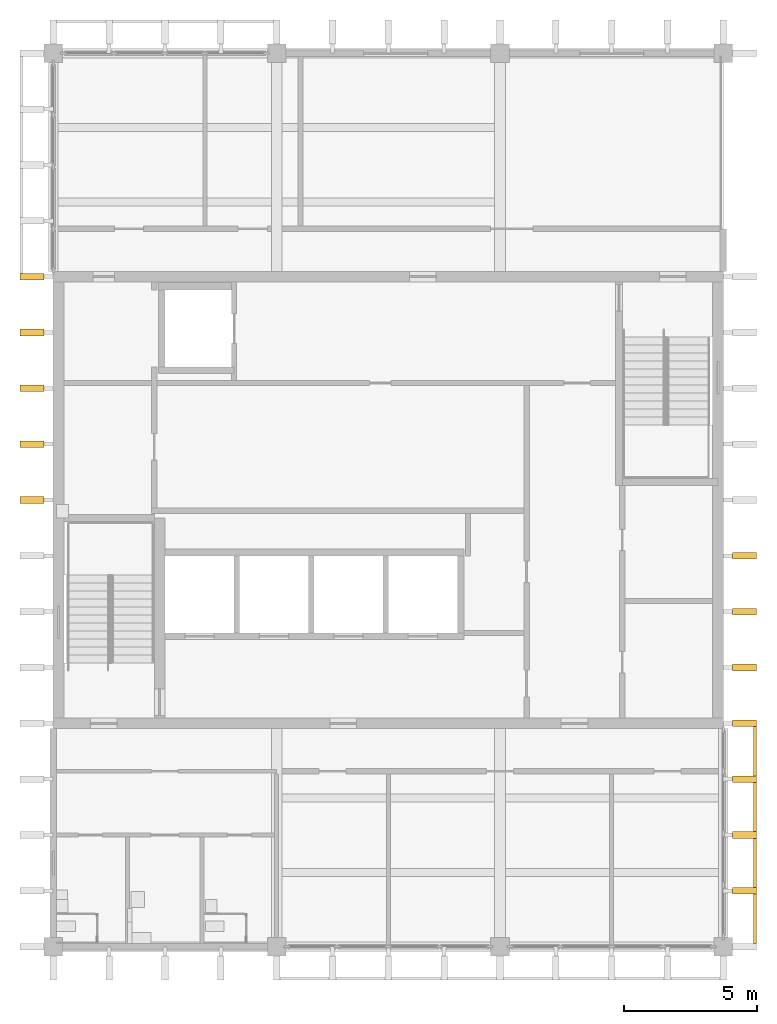
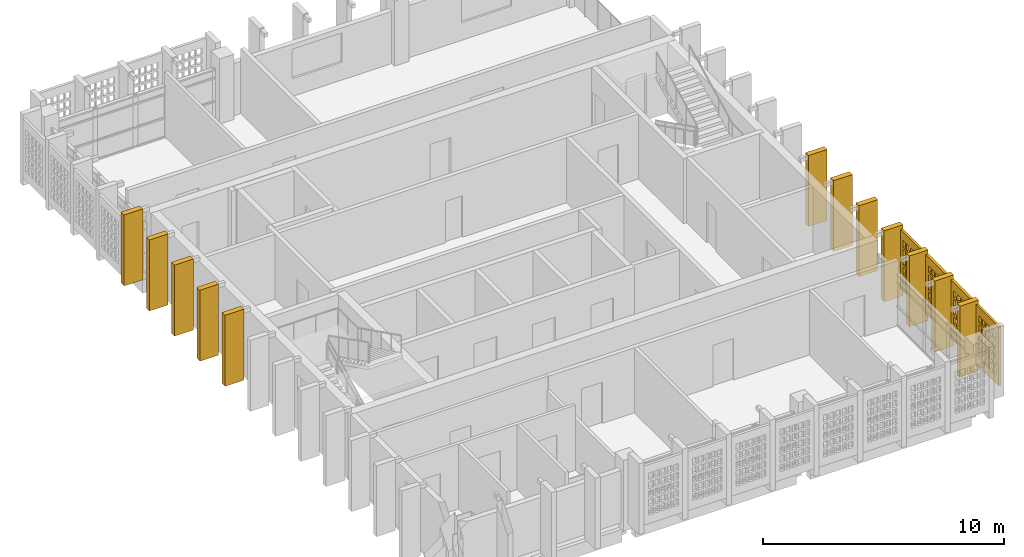
# One storey, part 9 of 13: 16 shading devices, 4 openings.
"""IFC4 building model written with IfcOpenShell, lengths in metres."""

from ifc_helpers import new_model, si_unit, direction, frame, origin, origin_2d, place, context, subcontext, project, spatial, rectangle, extrude, material, layer, layer_set, material_profile, profile_set, type_object, element, save


model = new_model("IFC4")

# Units and contexts
model_context = context("Model", 3, precision=1e-05, world=origin(), true_north=direction((0.0, 1.0)))
body_context = subcontext(model_context, "Body", "Model", "MODEL_VIEW")
ifc_project = project(units=[si_unit("LENGTHUNIT", "METRE"), si_unit("AREAUNIT", "SQUARE_METRE"), si_unit("VOLUMEUNIT", "CUBIC_METRE"), si_unit("PLANEANGLEUNIT", "RADIAN"), si_unit("MASSUNIT", "GRAM", prefix="KILO")], contexts=[model_context])

# Site, building, storey
site_placement = place(None, origin())
site = spatial("IfcSite", under=ifc_project, at=site_placement, CompositionType="ELEMENT")
building_placement = place(site_placement, origin())
building = spatial("IfcBuilding", under=site, at=building_placement, Name="Rulbaag Community and Learning Centre", CompositionType="ELEMENT")
storey_placement = place(building_placement, frame((0.0, 0.0, 54.0)))
storey = spatial("IfcBuildingStorey", under=building, at=storey_placement, Name="L14", CompositionType="ELEMENT", Elevation=54.0)

# Shading devices
ifc_material = material(Name="Concrete M40", Category="concrete")
ifc_material_profile = material_profile(ifc_material, rectangle(XDim=0.25, YDim=0.89990234375, at=origin_2d()), Name="PC 250x900")
ifc_profile_set = profile_set([ifc_material_profile], Name="Concrete M40")
shading_device_type_1 = type_object("IfcShadingDeviceType", Name="FIN-H", PredefinedType="JALOUSIE", material=ifc_profile_set)
for number, where, z_axis, x_axis, name in (
    (1, (142.0, 100.800048828125, 0.0), (0.0, 0.0, 1.0), (0.0, 1.0, 0.0), "Precast fin"),
    (2, (142.0, 102.89990234375, 0.0), (0.0, 0.0, 1.0), (0.0, 1.0, 0.0), "Precast fin"),
    (3, (142.0, 105.0, 0.0), (0.0, 0.0, 1.0), (0.0, 1.0, 0.0), "Precast fin"),
    (4, (142.0, 107.10009765625, 0.0), (0.0, 0.0, 1.0), (0.0, 1.0, 0.0), "Precast fin"),
    (5, (142.0, 109.199951171875, 0.0), (0.0, 0.0, 1.0), (0.0, 1.0, 0.0), "Precast fin"),
    (6, (168.800048828125, 86.10009765625, 0.0), (0.0, 0.0, 1.0), (0.0, 1.0, 0.0), "Precast fin"),
    (7, (168.800048828125, 88.199951171875, 0.0), (0.0, 0.0, 1.0), (0.0, 1.0, 0.0), "Precast fin"),
    (8, (168.800048828125, 90.300048828125, 0.0), (0.0, 0.0, 1.0), (0.0, 1.0, 0.0), "Precast fin"),
    (9, (168.800048828125, 92.39990234375, 0.0), (0.0, 0.0, 1.0), (0.0, 1.0, 0.0), "Precast fin"),
    (10, (168.800048828125, 94.5, 0.0), (0.0, 0.0, 1.0), (0.0, 1.0, 0.0), "Precast fin"),
    (11, (168.800048828125, 96.60009765625, 0.0), (0.0, 0.0, 1.0), (0.0, 1.0, 0.0), "Precast fin"),
    (12, (168.800048828125, 98.699951171875, 0.0), (0.0, 0.0, 1.0), (0.0, 1.0, 0.0), "Precast fin"),
):
    element("IfcShadingDevice", number, at=place(storey_placement, frame(where, z_axis=z_axis, x_axis=x_axis)), inside=storey, type_object=shading_device_type_1, Name=name, PredefinedType="JALOUSIE", context=body_context, shape_type="SweptSolid", body=[
        extrude(rectangle(XDim=0.25, YDim=0.89990234375, at=origin_2d()), origin(), (0.0, 0.0, 1.0), 3.60009765625),
    ])

# Shading device, opening
ifc_layer = layer(ifc_material, 0.1201171875)
ifc_layer_set = layer_set([ifc_layer], Name="JB-83")
shading_device_type_2 = type_object("IfcShadingDeviceType", Name="JB-83", PredefinedType="SHUTTER", material=ifc_layer_set)
shading_device_1_placement = place(storey_placement, frame((169.18994140625, 85.050048828125, 0.39990234375), z_axis=(0.0, 0.0, 1.0), x_axis=(1.0, 0.0, 0.0)))
shading_device_1 = element("IfcShadingDevice", 13, at=shading_device_1_placement, inside=storey, type_object=shading_device_type_2, Name="Jaali screen", PredefinedType="SHUTTER", context=body_context, shape_type="SweptSolid", body=[
    extrude(rectangle(XDim=0.1201171875, YDim=1.85009765625, at=origin_2d()), origin(), (0.0, 0.0, 1.0), 3.0),
])
opening_1_placement = place(shading_device_1_placement, origin())
element("IfcOpeningElement", 14, at=opening_1_placement, cuts=shading_device_1, Name="Perforation JB1", PredefinedType="OPENING", context=body_context, shape_type="SweptSolid", body=[
    extrude(rectangle(XDim=0.22509765625, YDim=0.340087890625, at=origin_2d()), frame((-0.070068359375, -0.60009765625, 0.60009765625), z_axis=(1.0, 0.0, 0.0), x_axis=(0.0, 1.0, 0.0)), (0.0, 0.0, 1.0), 0.139892578125),
    extrude(rectangle(XDim=0.22509765625, YDim=0.340087890625, at=origin_2d()), frame((-0.070068359375, -0.300048828125, 0.60009765625), z_axis=(1.0, 0.0, 0.0), x_axis=(0.0, 1.0, 0.0)), (0.0, 0.0, 1.0), 0.139892578125),
    extrude(rectangle(XDim=0.22509765625, YDim=0.340087890625, at=origin_2d()), frame((-0.070068359375, 0.0, 0.60009765625), z_axis=(1.0, 0.0, 0.0), x_axis=(0.0, 1.0, 0.0)), (0.0, 0.0, 1.0), 0.139892578125),
    extrude(rectangle(XDim=0.22509765625, YDim=0.340087890625, at=origin_2d()), frame((-0.070068359375, 0.300048828125, 0.60009765625), z_axis=(1.0, 0.0, 0.0), x_axis=(0.0, 1.0, 0.0)), (0.0, 0.0, 1.0), 0.139892578125),
    extrude(rectangle(XDim=0.22509765625, YDim=0.340087890625, at=origin_2d()), frame((-0.070068359375, 0.60009765625, 0.60009765625), z_axis=(1.0, 0.0, 0.0), x_axis=(0.0, 1.0, 0.0)), (0.0, 0.0, 1.0), 0.139892578125),
    extrude(rectangle(XDim=0.22509765625, YDim=0.340087890625, at=origin_2d()), frame((-0.070068359375, -0.60009765625, 1.050048828125), z_axis=(1.0, 0.0, 0.0), x_axis=(0.0, 1.0, 0.0)), (0.0, 0.0, 1.0), 0.139892578125),
    extrude(rectangle(XDim=0.22509765625, YDim=0.340087890625, at=origin_2d()), frame((-0.070068359375, -0.300048828125, 1.050048828125), z_axis=(1.0, 0.0, 0.0), x_axis=(0.0, 1.0, 0.0)), (0.0, 0.0, 1.0), 0.139892578125),
    extrude(rectangle(XDim=0.22509765625, YDim=0.340087890625, at=origin_2d()), frame((-0.070068359375, 0.0, 1.050048828125), z_axis=(1.0, 0.0, 0.0), x_axis=(0.0, 1.0, 0.0)), (0.0, 0.0, 1.0), 0.139892578125),
    extrude(rectangle(XDim=0.22509765625, YDim=0.340087890625, at=origin_2d()), frame((-0.070068359375, 0.300048828125, 1.050048828125), z_axis=(1.0, 0.0, 0.0), x_axis=(0.0, 1.0, 0.0)), (0.0, 0.0, 1.0), 0.139892578125),
    extrude(rectangle(XDim=0.22509765625, YDim=0.340087890625, at=origin_2d()), frame((-0.070068359375, 0.60009765625, 1.050048828125), z_axis=(1.0, 0.0, 0.0), x_axis=(0.0, 1.0, 0.0)), (0.0, 0.0, 1.0), 0.139892578125),
    extrude(rectangle(XDim=0.22509765625, YDim=0.340087890625, at=origin_2d()), frame((-0.070068359375, -0.60009765625, 1.5), z_axis=(1.0, 0.0, 0.0), x_axis=(0.0, 1.0, 0.0)), (0.0, 0.0, 1.0), 0.139892578125),
    extrude(rectangle(XDim=0.22509765625, YDim=0.340087890625, at=origin_2d()), frame((-0.070068359375, -0.300048828125, 1.5), z_axis=(1.0, 0.0, 0.0), x_axis=(0.0, 1.0, 0.0)), (0.0, 0.0, 1.0), 0.139892578125),
    extrude(rectangle(XDim=0.22509765625, YDim=0.340087890625, at=origin_2d()), frame((-0.070068359375, 0.0, 1.5), z_axis=(1.0, 0.0, 0.0), x_axis=(0.0, 1.0, 0.0)), (0.0, 0.0, 1.0), 0.139892578125),
    extrude(rectangle(XDim=0.22509765625, YDim=0.340087890625, at=origin_2d()), frame((-0.070068359375, 0.300048828125, 1.5), z_axis=(1.0, 0.0, 0.0), x_axis=(0.0, 1.0, 0.0)), (0.0, 0.0, 1.0), 0.139892578125),
    extrude(rectangle(XDim=0.22509765625, YDim=0.340087890625, at=origin_2d()), frame((-0.070068359375, 0.60009765625, 1.5), z_axis=(1.0, 0.0, 0.0), x_axis=(0.0, 1.0, 0.0)), (0.0, 0.0, 1.0), 0.139892578125),
    extrude(rectangle(XDim=0.22509765625, YDim=0.340087890625, at=origin_2d()), frame((-0.070068359375, -0.60009765625, 1.949951171875), z_axis=(1.0, 0.0, 0.0), x_axis=(0.0, 1.0, 0.0)), (0.0, 0.0, 1.0), 0.139892578125),
    extrude(rectangle(XDim=0.22509765625, YDim=0.340087890625, at=origin_2d()), frame((-0.070068359375, -0.300048828125, 1.949951171875), z_axis=(1.0, 0.0, 0.0), x_axis=(0.0, 1.0, 0.0)), (0.0, 0.0, 1.0), 0.139892578125),
    extrude(rectangle(XDim=0.22509765625, YDim=0.340087890625, at=origin_2d()), frame((-0.070068359375, 0.0, 1.949951171875), z_axis=(1.0, 0.0, 0.0), x_axis=(0.0, 1.0, 0.0)), (0.0, 0.0, 1.0), 0.139892578125),
    extrude(rectangle(XDim=0.22509765625, YDim=0.340087890625, at=origin_2d()), frame((-0.070068359375, 0.300048828125, 1.949951171875), z_axis=(1.0, 0.0, 0.0), x_axis=(0.0, 1.0, 0.0)), (0.0, 0.0, 1.0), 0.139892578125),
    extrude(rectangle(XDim=0.22509765625, YDim=0.340087890625, at=origin_2d()), frame((-0.070068359375, 0.60009765625, 1.949951171875), z_axis=(1.0, 0.0, 0.0), x_axis=(0.0, 1.0, 0.0)), (0.0, 0.0, 1.0), 0.139892578125),
    extrude(rectangle(XDim=0.22509765625, YDim=0.340087890625, at=origin_2d()), frame((-0.070068359375, -0.60009765625, 2.39990234375), z_axis=(1.0, 0.0, 0.0), x_axis=(0.0, 1.0, 0.0)), (0.0, 0.0, 1.0), 0.139892578125),
    extrude(rectangle(XDim=0.22509765625, YDim=0.340087890625, at=origin_2d()), frame((-0.070068359375, -0.300048828125, 2.39990234375), z_axis=(1.0, 0.0, 0.0), x_axis=(0.0, 1.0, 0.0)), (0.0, 0.0, 1.0), 0.139892578125),
    extrude(rectangle(XDim=0.22509765625, YDim=0.340087890625, at=origin_2d()), frame((-0.070068359375, 0.0, 2.39990234375), z_axis=(1.0, 0.0, 0.0), x_axis=(0.0, 1.0, 0.0)), (0.0, 0.0, 1.0), 0.139892578125),
    extrude(rectangle(XDim=0.22509765625, YDim=0.340087890625, at=origin_2d()), frame((-0.070068359375, 0.300048828125, 2.39990234375), z_axis=(1.0, 0.0, 0.0), x_axis=(0.0, 1.0, 0.0)), (0.0, 0.0, 1.0), 0.139892578125),
    extrude(rectangle(XDim=0.22509765625, YDim=0.340087890625, at=origin_2d()), frame((-0.070068359375, 0.60009765625, 2.39990234375), z_axis=(1.0, 0.0, 0.0), x_axis=(0.0, 1.0, 0.0)), (0.0, 0.0, 1.0), 0.139892578125),
])

shading_device_2_placement = place(storey_placement, frame((169.18994140625, 87.14990234375, 0.39990234375), z_axis=(0.0, 0.0, 1.0), x_axis=(1.0, 0.0, 0.0)))
shading_device_2 = element("IfcShadingDevice", 15, at=shading_device_2_placement, inside=storey, type_object=shading_device_type_2, Name="Jaali screen", PredefinedType="SHUTTER", context=body_context, shape_type="SweptSolid", body=[
    extrude(rectangle(XDim=0.1201171875, YDim=1.85009765625, at=origin_2d()), origin(), (0.0, 0.0, 1.0), 3.0),
])
opening_2_placement = place(shading_device_2_placement, origin())
element("IfcOpeningElement", 16, at=opening_2_placement, cuts=shading_device_2, Name="Perforation JB1", PredefinedType="OPENING", context=body_context, shape_type="SweptSolid", body=[
    extrude(rectangle(XDim=0.22509765625, YDim=0.340087890625, at=origin_2d()), frame((-0.070068359375, -0.60009765625, 0.60009765625), z_axis=(1.0, 0.0, 0.0), x_axis=(0.0, 1.0, 0.0)), (0.0, 0.0, 1.0), 0.139892578125),
    extrude(rectangle(XDim=0.22509765625, YDim=0.340087890625, at=origin_2d()), frame((-0.070068359375, -0.300048828125, 0.60009765625), z_axis=(1.0, 0.0, 0.0), x_axis=(0.0, 1.0, 0.0)), (0.0, 0.0, 1.0), 0.139892578125),
    extrude(rectangle(XDim=0.22509765625, YDim=0.340087890625, at=origin_2d()), frame((-0.070068359375, 0.0, 0.60009765625), z_axis=(1.0, 0.0, 0.0), x_axis=(0.0, 1.0, 0.0)), (0.0, 0.0, 1.0), 0.139892578125),
    extrude(rectangle(XDim=0.22509765625, YDim=0.340087890625, at=origin_2d()), frame((-0.070068359375, 0.300048828125, 0.60009765625), z_axis=(1.0, 0.0, 0.0), x_axis=(0.0, 1.0, 0.0)), (0.0, 0.0, 1.0), 0.139892578125),
    extrude(rectangle(XDim=0.22509765625, YDim=0.340087890625, at=origin_2d()), frame((-0.070068359375, 0.60009765625, 0.60009765625), z_axis=(1.0, 0.0, 0.0), x_axis=(0.0, 1.0, 0.0)), (0.0, 0.0, 1.0), 0.139892578125),
    extrude(rectangle(XDim=0.22509765625, YDim=0.340087890625, at=origin_2d()), frame((-0.070068359375, -0.60009765625, 1.050048828125), z_axis=(1.0, 0.0, 0.0), x_axis=(0.0, 1.0, 0.0)), (0.0, 0.0, 1.0), 0.139892578125),
    extrude(rectangle(XDim=0.22509765625, YDim=0.340087890625, at=origin_2d()), frame((-0.070068359375, -0.300048828125, 1.050048828125), z_axis=(1.0, 0.0, 0.0), x_axis=(0.0, 1.0, 0.0)), (0.0, 0.0, 1.0), 0.139892578125),
    extrude(rectangle(XDim=0.22509765625, YDim=0.340087890625, at=origin_2d()), frame((-0.070068359375, 0.0, 1.050048828125), z_axis=(1.0, 0.0, 0.0), x_axis=(0.0, 1.0, 0.0)), (0.0, 0.0, 1.0), 0.139892578125),
    extrude(rectangle(XDim=0.22509765625, YDim=0.340087890625, at=origin_2d()), frame((-0.070068359375, 0.300048828125, 1.050048828125), z_axis=(1.0, 0.0, 0.0), x_axis=(0.0, 1.0, 0.0)), (0.0, 0.0, 1.0), 0.139892578125),
    extrude(rectangle(XDim=0.22509765625, YDim=0.340087890625, at=origin_2d()), frame((-0.070068359375, 0.60009765625, 1.050048828125), z_axis=(1.0, 0.0, 0.0), x_axis=(0.0, 1.0, 0.0)), (0.0, 0.0, 1.0), 0.139892578125),
    extrude(rectangle(XDim=0.22509765625, YDim=0.340087890625, at=origin_2d()), frame((-0.070068359375, -0.60009765625, 1.5), z_axis=(1.0, 0.0, 0.0), x_axis=(0.0, 1.0, 0.0)), (0.0, 0.0, 1.0), 0.139892578125),
    extrude(rectangle(XDim=0.22509765625, YDim=0.340087890625, at=origin_2d()), frame((-0.070068359375, -0.300048828125, 1.5), z_axis=(1.0, 0.0, 0.0), x_axis=(0.0, 1.0, 0.0)), (0.0, 0.0, 1.0), 0.139892578125),
    extrude(rectangle(XDim=0.22509765625, YDim=0.340087890625, at=origin_2d()), frame((-0.070068359375, 0.0, 1.5), z_axis=(1.0, 0.0, 0.0), x_axis=(0.0, 1.0, 0.0)), (0.0, 0.0, 1.0), 0.139892578125),
    extrude(rectangle(XDim=0.22509765625, YDim=0.340087890625, at=origin_2d()), frame((-0.070068359375, 0.300048828125, 1.5), z_axis=(1.0, 0.0, 0.0), x_axis=(0.0, 1.0, 0.0)), (0.0, 0.0, 1.0), 0.139892578125),
    extrude(rectangle(XDim=0.22509765625, YDim=0.340087890625, at=origin_2d()), frame((-0.070068359375, 0.60009765625, 1.5), z_axis=(1.0, 0.0, 0.0), x_axis=(0.0, 1.0, 0.0)), (0.0, 0.0, 1.0), 0.139892578125),
    extrude(rectangle(XDim=0.22509765625, YDim=0.340087890625, at=origin_2d()), frame((-0.070068359375, -0.60009765625, 1.949951171875), z_axis=(1.0, 0.0, 0.0), x_axis=(0.0, 1.0, 0.0)), (0.0, 0.0, 1.0), 0.139892578125),
    extrude(rectangle(XDim=0.22509765625, YDim=0.340087890625, at=origin_2d()), frame((-0.070068359375, -0.300048828125, 1.949951171875), z_axis=(1.0, 0.0, 0.0), x_axis=(0.0, 1.0, 0.0)), (0.0, 0.0, 1.0), 0.139892578125),
    extrude(rectangle(XDim=0.22509765625, YDim=0.340087890625, at=origin_2d()), frame((-0.070068359375, 0.0, 1.949951171875), z_axis=(1.0, 0.0, 0.0), x_axis=(0.0, 1.0, 0.0)), (0.0, 0.0, 1.0), 0.139892578125),
    extrude(rectangle(XDim=0.22509765625, YDim=0.340087890625, at=origin_2d()), frame((-0.070068359375, 0.300048828125, 1.949951171875), z_axis=(1.0, 0.0, 0.0), x_axis=(0.0, 1.0, 0.0)), (0.0, 0.0, 1.0), 0.139892578125),
    extrude(rectangle(XDim=0.22509765625, YDim=0.340087890625, at=origin_2d()), frame((-0.070068359375, 0.60009765625, 1.949951171875), z_axis=(1.0, 0.0, 0.0), x_axis=(0.0, 1.0, 0.0)), (0.0, 0.0, 1.0), 0.139892578125),
    extrude(rectangle(XDim=0.22509765625, YDim=0.340087890625, at=origin_2d()), frame((-0.070068359375, -0.60009765625, 2.39990234375), z_axis=(1.0, 0.0, 0.0), x_axis=(0.0, 1.0, 0.0)), (0.0, 0.0, 1.0), 0.139892578125),
    extrude(rectangle(XDim=0.22509765625, YDim=0.340087890625, at=origin_2d()), frame((-0.070068359375, -0.300048828125, 2.39990234375), z_axis=(1.0, 0.0, 0.0), x_axis=(0.0, 1.0, 0.0)), (0.0, 0.0, 1.0), 0.139892578125),
    extrude(rectangle(XDim=0.22509765625, YDim=0.340087890625, at=origin_2d()), frame((-0.070068359375, 0.0, 2.39990234375), z_axis=(1.0, 0.0, 0.0), x_axis=(0.0, 1.0, 0.0)), (0.0, 0.0, 1.0), 0.139892578125),
    extrude(rectangle(XDim=0.22509765625, YDim=0.340087890625, at=origin_2d()), frame((-0.070068359375, 0.300048828125, 2.39990234375), z_axis=(1.0, 0.0, 0.0), x_axis=(0.0, 1.0, 0.0)), (0.0, 0.0, 1.0), 0.139892578125),
    extrude(rectangle(XDim=0.22509765625, YDim=0.340087890625, at=origin_2d()), frame((-0.070068359375, 0.60009765625, 2.39990234375), z_axis=(1.0, 0.0, 0.0), x_axis=(0.0, 1.0, 0.0)), (0.0, 0.0, 1.0), 0.139892578125),
])

shading_device_3_placement = place(storey_placement, frame((169.18994140625, 89.25, 0.39990234375), z_axis=(0.0, 0.0, 1.0), x_axis=(1.0, 0.0, 0.0)))
shading_device_3 = element("IfcShadingDevice", 17, at=shading_device_3_placement, inside=storey, type_object=shading_device_type_2, Name="Jaali screen", PredefinedType="SHUTTER", context=body_context, shape_type="SweptSolid", body=[
    extrude(rectangle(XDim=0.1201171875, YDim=1.85009765625, at=origin_2d()), origin(), (0.0, 0.0, 1.0), 3.0),
])
opening_3_placement = place(shading_device_3_placement, origin())
element("IfcOpeningElement", 18, at=opening_3_placement, cuts=shading_device_3, Name="Perforation JB1", PredefinedType="OPENING", context=body_context, shape_type="SweptSolid", body=[
    extrude(rectangle(XDim=0.22509765625, YDim=0.340087890625, at=origin_2d()), frame((-0.070068359375, -0.60009765625, 0.60009765625), z_axis=(1.0, 0.0, 0.0), x_axis=(0.0, 1.0, 0.0)), (0.0, 0.0, 1.0), 0.139892578125),
    extrude(rectangle(XDim=0.22509765625, YDim=0.340087890625, at=origin_2d()), frame((-0.070068359375, -0.300048828125, 0.60009765625), z_axis=(1.0, 0.0, 0.0), x_axis=(0.0, 1.0, 0.0)), (0.0, 0.0, 1.0), 0.139892578125),
    extrude(rectangle(XDim=0.22509765625, YDim=0.340087890625, at=origin_2d()), frame((-0.070068359375, 0.0, 0.60009765625), z_axis=(1.0, 0.0, 0.0), x_axis=(0.0, 1.0, 0.0)), (0.0, 0.0, 1.0), 0.139892578125),
    extrude(rectangle(XDim=0.22509765625, YDim=0.340087890625, at=origin_2d()), frame((-0.070068359375, 0.300048828125, 0.60009765625), z_axis=(1.0, 0.0, 0.0), x_axis=(0.0, 1.0, 0.0)), (0.0, 0.0, 1.0), 0.139892578125),
    extrude(rectangle(XDim=0.22509765625, YDim=0.340087890625, at=origin_2d()), frame((-0.070068359375, 0.60009765625, 0.60009765625), z_axis=(1.0, 0.0, 0.0), x_axis=(0.0, 1.0, 0.0)), (0.0, 0.0, 1.0), 0.139892578125),
    extrude(rectangle(XDim=0.22509765625, YDim=0.340087890625, at=origin_2d()), frame((-0.070068359375, -0.60009765625, 1.050048828125), z_axis=(1.0, 0.0, 0.0), x_axis=(0.0, 1.0, 0.0)), (0.0, 0.0, 1.0), 0.139892578125),
    extrude(rectangle(XDim=0.22509765625, YDim=0.340087890625, at=origin_2d()), frame((-0.070068359375, -0.300048828125, 1.050048828125), z_axis=(1.0, 0.0, 0.0), x_axis=(0.0, 1.0, 0.0)), (0.0, 0.0, 1.0), 0.139892578125),
    extrude(rectangle(XDim=0.22509765625, YDim=0.340087890625, at=origin_2d()), frame((-0.070068359375, 0.0, 1.050048828125), z_axis=(1.0, 0.0, 0.0), x_axis=(0.0, 1.0, 0.0)), (0.0, 0.0, 1.0), 0.139892578125),
    extrude(rectangle(XDim=0.22509765625, YDim=0.340087890625, at=origin_2d()), frame((-0.070068359375, 0.300048828125, 1.050048828125), z_axis=(1.0, 0.0, 0.0), x_axis=(0.0, 1.0, 0.0)), (0.0, 0.0, 1.0), 0.139892578125),
    extrude(rectangle(XDim=0.22509765625, YDim=0.340087890625, at=origin_2d()), frame((-0.070068359375, 0.60009765625, 1.050048828125), z_axis=(1.0, 0.0, 0.0), x_axis=(0.0, 1.0, 0.0)), (0.0, 0.0, 1.0), 0.139892578125),
    extrude(rectangle(XDim=0.22509765625, YDim=0.340087890625, at=origin_2d()), frame((-0.070068359375, -0.60009765625, 1.5), z_axis=(1.0, 0.0, 0.0), x_axis=(0.0, 1.0, 0.0)), (0.0, 0.0, 1.0), 0.139892578125),
    extrude(rectangle(XDim=0.22509765625, YDim=0.340087890625, at=origin_2d()), frame((-0.070068359375, -0.300048828125, 1.5), z_axis=(1.0, 0.0, 0.0), x_axis=(0.0, 1.0, 0.0)), (0.0, 0.0, 1.0), 0.139892578125),
    extrude(rectangle(XDim=0.22509765625, YDim=0.340087890625, at=origin_2d()), frame((-0.070068359375, 0.0, 1.5), z_axis=(1.0, 0.0, 0.0), x_axis=(0.0, 1.0, 0.0)), (0.0, 0.0, 1.0), 0.139892578125),
    extrude(rectangle(XDim=0.22509765625, YDim=0.340087890625, at=origin_2d()), frame((-0.070068359375, 0.300048828125, 1.5), z_axis=(1.0, 0.0, 0.0), x_axis=(0.0, 1.0, 0.0)), (0.0, 0.0, 1.0), 0.139892578125),
    extrude(rectangle(XDim=0.22509765625, YDim=0.340087890625, at=origin_2d()), frame((-0.070068359375, 0.60009765625, 1.5), z_axis=(1.0, 0.0, 0.0), x_axis=(0.0, 1.0, 0.0)), (0.0, 0.0, 1.0), 0.139892578125),
    extrude(rectangle(XDim=0.22509765625, YDim=0.340087890625, at=origin_2d()), frame((-0.070068359375, -0.60009765625, 1.949951171875), z_axis=(1.0, 0.0, 0.0), x_axis=(0.0, 1.0, 0.0)), (0.0, 0.0, 1.0), 0.139892578125),
    extrude(rectangle(XDim=0.22509765625, YDim=0.340087890625, at=origin_2d()), frame((-0.070068359375, -0.300048828125, 1.949951171875), z_axis=(1.0, 0.0, 0.0), x_axis=(0.0, 1.0, 0.0)), (0.0, 0.0, 1.0), 0.139892578125),
    extrude(rectangle(XDim=0.22509765625, YDim=0.340087890625, at=origin_2d()), frame((-0.070068359375, 0.0, 1.949951171875), z_axis=(1.0, 0.0, 0.0), x_axis=(0.0, 1.0, 0.0)), (0.0, 0.0, 1.0), 0.139892578125),
    extrude(rectangle(XDim=0.22509765625, YDim=0.340087890625, at=origin_2d()), frame((-0.070068359375, 0.300048828125, 1.949951171875), z_axis=(1.0, 0.0, 0.0), x_axis=(0.0, 1.0, 0.0)), (0.0, 0.0, 1.0), 0.139892578125),
    extrude(rectangle(XDim=0.22509765625, YDim=0.340087890625, at=origin_2d()), frame((-0.070068359375, 0.60009765625, 1.949951171875), z_axis=(1.0, 0.0, 0.0), x_axis=(0.0, 1.0, 0.0)), (0.0, 0.0, 1.0), 0.139892578125),
    extrude(rectangle(XDim=0.22509765625, YDim=0.340087890625, at=origin_2d()), frame((-0.070068359375, -0.60009765625, 2.39990234375), z_axis=(1.0, 0.0, 0.0), x_axis=(0.0, 1.0, 0.0)), (0.0, 0.0, 1.0), 0.139892578125),
    extrude(rectangle(XDim=0.22509765625, YDim=0.340087890625, at=origin_2d()), frame((-0.070068359375, -0.300048828125, 2.39990234375), z_axis=(1.0, 0.0, 0.0), x_axis=(0.0, 1.0, 0.0)), (0.0, 0.0, 1.0), 0.139892578125),
    extrude(rectangle(XDim=0.22509765625, YDim=0.340087890625, at=origin_2d()), frame((-0.070068359375, 0.0, 2.39990234375), z_axis=(1.0, 0.0, 0.0), x_axis=(0.0, 1.0, 0.0)), (0.0, 0.0, 1.0), 0.139892578125),
    extrude(rectangle(XDim=0.22509765625, YDim=0.340087890625, at=origin_2d()), frame((-0.070068359375, 0.300048828125, 2.39990234375), z_axis=(1.0, 0.0, 0.0), x_axis=(0.0, 1.0, 0.0)), (0.0, 0.0, 1.0), 0.139892578125),
    extrude(rectangle(XDim=0.22509765625, YDim=0.340087890625, at=origin_2d()), frame((-0.070068359375, 0.60009765625, 2.39990234375), z_axis=(1.0, 0.0, 0.0), x_axis=(0.0, 1.0, 0.0)), (0.0, 0.0, 1.0), 0.139892578125),
])

shading_device_4_placement = place(storey_placement, frame((169.18994140625, 91.35009765625, 0.39990234375), z_axis=(0.0, 0.0, 1.0), x_axis=(1.0, 0.0, 0.0)))
shading_device_4 = element("IfcShadingDevice", 19, at=shading_device_4_placement, inside=storey, type_object=shading_device_type_2, Name="Jaali screen", PredefinedType="SHUTTER", context=body_context, shape_type="SweptSolid", body=[
    extrude(rectangle(XDim=0.1201171875, YDim=1.85009765625, at=origin_2d()), origin(), (0.0, 0.0, 1.0), 3.0),
])
opening_4_placement = place(shading_device_4_placement, origin())
element("IfcOpeningElement", 20, at=opening_4_placement, cuts=shading_device_4, Name="Perforation JB1", PredefinedType="OPENING", context=body_context, shape_type="SweptSolid", body=[
    extrude(rectangle(XDim=0.22509765625, YDim=0.340087890625, at=origin_2d()), frame((-0.070068359375, -0.60009765625, 0.60009765625), z_axis=(1.0, 0.0, 0.0), x_axis=(0.0, 1.0, 0.0)), (0.0, 0.0, 1.0), 0.139892578125),
    extrude(rectangle(XDim=0.22509765625, YDim=0.340087890625, at=origin_2d()), frame((-0.070068359375, -0.300048828125, 0.60009765625), z_axis=(1.0, 0.0, 0.0), x_axis=(0.0, 1.0, 0.0)), (0.0, 0.0, 1.0), 0.139892578125),
    extrude(rectangle(XDim=0.22509765625, YDim=0.340087890625, at=origin_2d()), frame((-0.070068359375, 0.0, 0.60009765625), z_axis=(1.0, 0.0, 0.0), x_axis=(0.0, 1.0, 0.0)), (0.0, 0.0, 1.0), 0.139892578125),
    extrude(rectangle(XDim=0.22509765625, YDim=0.340087890625, at=origin_2d()), frame((-0.070068359375, 0.300048828125, 0.60009765625), z_axis=(1.0, 0.0, 0.0), x_axis=(0.0, 1.0, 0.0)), (0.0, 0.0, 1.0), 0.139892578125),
    extrude(rectangle(XDim=0.22509765625, YDim=0.340087890625, at=origin_2d()), frame((-0.070068359375, 0.60009765625, 0.60009765625), z_axis=(1.0, 0.0, 0.0), x_axis=(0.0, 1.0, 0.0)), (0.0, 0.0, 1.0), 0.139892578125),
    extrude(rectangle(XDim=0.22509765625, YDim=0.340087890625, at=origin_2d()), frame((-0.070068359375, -0.60009765625, 1.050048828125), z_axis=(1.0, 0.0, 0.0), x_axis=(0.0, 1.0, 0.0)), (0.0, 0.0, 1.0), 0.139892578125),
    extrude(rectangle(XDim=0.22509765625, YDim=0.340087890625, at=origin_2d()), frame((-0.070068359375, -0.300048828125, 1.050048828125), z_axis=(1.0, 0.0, 0.0), x_axis=(0.0, 1.0, 0.0)), (0.0, 0.0, 1.0), 0.139892578125),
    extrude(rectangle(XDim=0.22509765625, YDim=0.340087890625, at=origin_2d()), frame((-0.070068359375, 0.0, 1.050048828125), z_axis=(1.0, 0.0, 0.0), x_axis=(0.0, 1.0, 0.0)), (0.0, 0.0, 1.0), 0.139892578125),
    extrude(rectangle(XDim=0.22509765625, YDim=0.340087890625, at=origin_2d()), frame((-0.070068359375, 0.300048828125, 1.050048828125), z_axis=(1.0, 0.0, 0.0), x_axis=(0.0, 1.0, 0.0)), (0.0, 0.0, 1.0), 0.139892578125),
    extrude(rectangle(XDim=0.22509765625, YDim=0.340087890625, at=origin_2d()), frame((-0.070068359375, 0.60009765625, 1.050048828125), z_axis=(1.0, 0.0, 0.0), x_axis=(0.0, 1.0, 0.0)), (0.0, 0.0, 1.0), 0.139892578125),
    extrude(rectangle(XDim=0.22509765625, YDim=0.340087890625, at=origin_2d()), frame((-0.070068359375, -0.60009765625, 1.5), z_axis=(1.0, 0.0, 0.0), x_axis=(0.0, 1.0, 0.0)), (0.0, 0.0, 1.0), 0.139892578125),
    extrude(rectangle(XDim=0.22509765625, YDim=0.340087890625, at=origin_2d()), frame((-0.070068359375, -0.300048828125, 1.5), z_axis=(1.0, 0.0, 0.0), x_axis=(0.0, 1.0, 0.0)), (0.0, 0.0, 1.0), 0.139892578125),
    extrude(rectangle(XDim=0.22509765625, YDim=0.340087890625, at=origin_2d()), frame((-0.070068359375, 0.0, 1.5), z_axis=(1.0, 0.0, 0.0), x_axis=(0.0, 1.0, 0.0)), (0.0, 0.0, 1.0), 0.139892578125),
    extrude(rectangle(XDim=0.22509765625, YDim=0.340087890625, at=origin_2d()), frame((-0.070068359375, 0.300048828125, 1.5), z_axis=(1.0, 0.0, 0.0), x_axis=(0.0, 1.0, 0.0)), (0.0, 0.0, 1.0), 0.139892578125),
    extrude(rectangle(XDim=0.22509765625, YDim=0.340087890625, at=origin_2d()), frame((-0.070068359375, 0.60009765625, 1.5), z_axis=(1.0, 0.0, 0.0), x_axis=(0.0, 1.0, 0.0)), (0.0, 0.0, 1.0), 0.139892578125),
    extrude(rectangle(XDim=0.22509765625, YDim=0.340087890625, at=origin_2d()), frame((-0.070068359375, -0.60009765625, 1.949951171875), z_axis=(1.0, 0.0, 0.0), x_axis=(0.0, 1.0, 0.0)), (0.0, 0.0, 1.0), 0.139892578125),
    extrude(rectangle(XDim=0.22509765625, YDim=0.340087890625, at=origin_2d()), frame((-0.070068359375, -0.300048828125, 1.949951171875), z_axis=(1.0, 0.0, 0.0), x_axis=(0.0, 1.0, 0.0)), (0.0, 0.0, 1.0), 0.139892578125),
    extrude(rectangle(XDim=0.22509765625, YDim=0.340087890625, at=origin_2d()), frame((-0.070068359375, 0.0, 1.949951171875), z_axis=(1.0, 0.0, 0.0), x_axis=(0.0, 1.0, 0.0)), (0.0, 0.0, 1.0), 0.139892578125),
    extrude(rectangle(XDim=0.22509765625, YDim=0.340087890625, at=origin_2d()), frame((-0.070068359375, 0.300048828125, 1.949951171875), z_axis=(1.0, 0.0, 0.0), x_axis=(0.0, 1.0, 0.0)), (0.0, 0.0, 1.0), 0.139892578125),
    extrude(rectangle(XDim=0.22509765625, YDim=0.340087890625, at=origin_2d()), frame((-0.070068359375, 0.60009765625, 1.949951171875), z_axis=(1.0, 0.0, 0.0), x_axis=(0.0, 1.0, 0.0)), (0.0, 0.0, 1.0), 0.139892578125),
    extrude(rectangle(XDim=0.22509765625, YDim=0.340087890625, at=origin_2d()), frame((-0.070068359375, -0.60009765625, 2.39990234375), z_axis=(1.0, 0.0, 0.0), x_axis=(0.0, 1.0, 0.0)), (0.0, 0.0, 1.0), 0.139892578125),
    extrude(rectangle(XDim=0.22509765625, YDim=0.340087890625, at=origin_2d()), frame((-0.070068359375, -0.300048828125, 2.39990234375), z_axis=(1.0, 0.0, 0.0), x_axis=(0.0, 1.0, 0.0)), (0.0, 0.0, 1.0), 0.139892578125),
    extrude(rectangle(XDim=0.22509765625, YDim=0.340087890625, at=origin_2d()), frame((-0.070068359375, 0.0, 2.39990234375), z_axis=(1.0, 0.0, 0.0), x_axis=(0.0, 1.0, 0.0)), (0.0, 0.0, 1.0), 0.139892578125),
    extrude(rectangle(XDim=0.22509765625, YDim=0.340087890625, at=origin_2d()), frame((-0.070068359375, 0.300048828125, 2.39990234375), z_axis=(1.0, 0.0, 0.0), x_axis=(0.0, 1.0, 0.0)), (0.0, 0.0, 1.0), 0.139892578125),
    extrude(rectangle(XDim=0.22509765625, YDim=0.340087890625, at=origin_2d()), frame((-0.070068359375, 0.60009765625, 2.39990234375), z_axis=(1.0, 0.0, 0.0), x_axis=(0.0, 1.0, 0.0)), (0.0, 0.0, 1.0), 0.139892578125),
])

save(model, "model.ifc")
